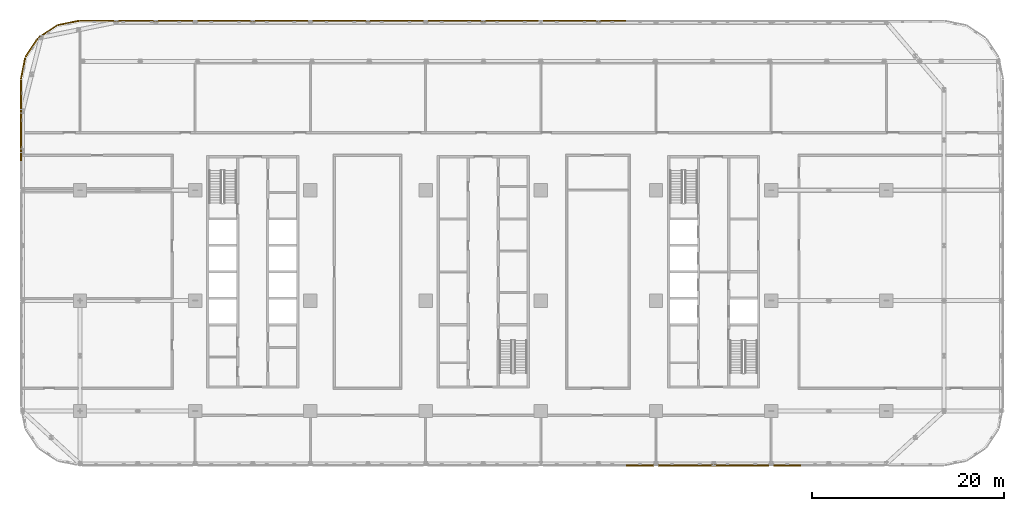
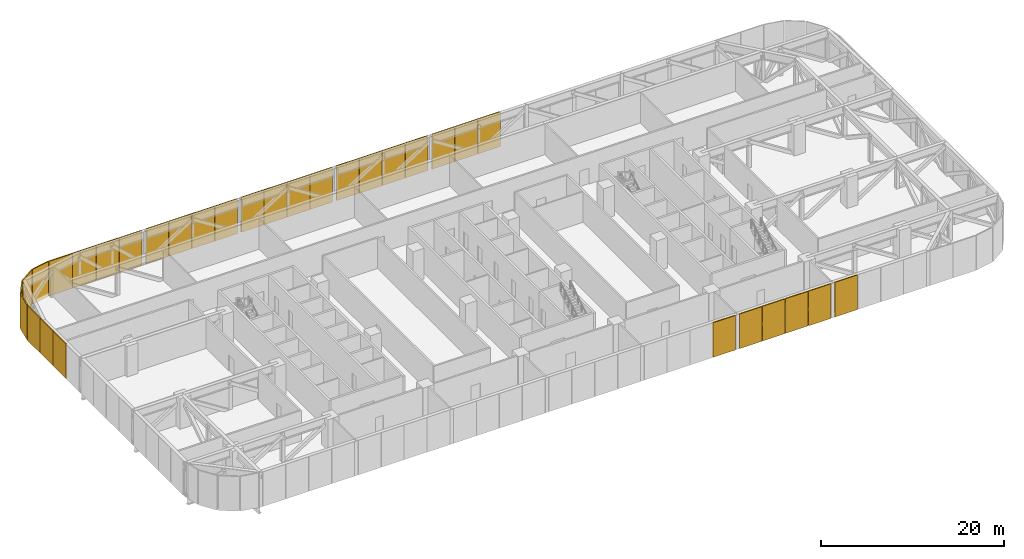
# One storey, part 24 of 26: 32 coverings.
"""IFC4 building model written with IfcOpenShell, lengths in metres."""

from ifc_helpers import new_model, si_unit, direction, frame, origin, origin_2d, place, context, subcontext, project, spatial, rectangle, extrude, material, type_object, element, save


model = new_model("IFC4")

# Units and contexts
model_context = context("Model", 3, precision=1e-05, world=origin(), true_north=direction((0.0, 1.0)))
body_context = subcontext(model_context, "Body", "Model", "MODEL_VIEW")
ifc_project = project(units=[si_unit("LENGTHUNIT", "METRE"), si_unit("AREAUNIT", "SQUARE_METRE"), si_unit("VOLUMEUNIT", "CUBIC_METRE"), si_unit("PLANEANGLEUNIT", "RADIAN"), si_unit("MASSUNIT", "GRAM", prefix="KILO")], contexts=[model_context])

# Site, building, storey
site_placement = place(None, origin())
site = spatial("IfcSite", under=ifc_project, at=site_placement, CompositionType="ELEMENT")
building_placement = place(site_placement, origin())
building = spatial("IfcBuilding", under=site, at=building_placement, Name="Mahtab Terrace Research Tower", CompositionType="ELEMENT")
storey_placement = place(building_placement, frame((0.0, 0.0, 117.60009765625)))
storey = spatial("IfcBuildingStorey", under=building, at=storey_placement, Name="L27", CompositionType="ELEMENT", Elevation=117.60009765625)

# Coverings
ifc_material = material(Name="Natural anodised aluminium", Category="aluminium")
covering_type = type_object("IfcCoveringType", Name="Plant storey louvre bay", PredefinedType="CLADDING", material=ifc_material)
for number, where, z_axis, x_axis, name in (
    (1, (13.443115234375, 29.159912109375, -0.55029296875), (0.0, 0.0, 1.0), (-1.0, 0.0, 0.0), "Louvre bay L27 33"),
    (2, (10.556884765625, 29.159912109375, -0.55029296875), (0.0, 0.0, 1.0), (-1.0, 0.0, 0.0), "Louvre bay L27 34"),
    (3, (7.6708984375, 29.159912109375, -0.55029296875), (0.0, 0.0, 1.0), (-1.0, 0.0, 0.0), "Louvre bay L27 35"),
    (4, (4.3291015625, 29.159912109375, -0.55029296875), (0.0, 0.0, 1.0), (-1.0, 0.0, 0.0), "Louvre bay L27 36"),
    (5, (1.443115234375, 29.159912109375, -0.55029296875), (0.0, 0.0, 1.0), (-1.0, 0.0, 0.0), "Louvre bay L27 37"),
    (6, (-1.443115234375, 29.159912109375, -0.55029296875), (0.0, 0.0, 1.0), (-1.0, 0.0, 0.0), "Louvre bay L27 38"),
    (7, (-4.3291015625, 29.159912109375, -0.55029296875), (0.0, 0.0, 1.0), (-1.0, 0.0, 0.0), "Louvre bay L27 39"),
    (8, (-7.6708984375, 29.159912109375, -0.55029296875), (0.0, 0.0, 1.0), (-1.0, 0.0, 0.0), "Louvre bay L27 40"),
    (9, (-10.556884765625, 29.159912109375, -0.55029296875), (0.0, 0.0, 1.0), (-1.0, 0.0, 0.0), "Louvre bay L27 41"),
    (10, (-13.443115234375, 29.159912109375, -0.55029296875), (0.0, 0.0, 1.0), (-1.0, 0.0, 0.0), "Louvre bay L27 42"),
    (11, (-16.3291015625, 29.159912109375, -0.55029296875), (0.0, 0.0, 1.0), (-1.0, 0.0, 0.0), "Louvre bay L27 43"),
    (12, (-19.6708984375, 29.159912109375, -0.55029296875), (0.0, 0.0, 1.0), (-1.0, 0.0, 0.0), "Louvre bay L27 44"),
    (13, (-22.556884765625, 29.159912109375, -0.55029296875), (0.0, 0.0, 1.0), (-1.0, 0.0, 0.0), "Louvre bay L27 45"),
    (14, (-25.443115234375, 29.159912109375, -0.55029296875), (0.0, 0.0, 1.0), (-1.0, 0.0, 0.0), "Louvre bay L27 46"),
    (15, (-28.3291015625, 29.159912109375, -0.55029296875), (0.0, 0.0, 1.0), (-1.0, 0.0, 0.0), "Louvre bay L27 47"),
    (16, (-31.6708984375, 29.159912109375, -0.55029296875), (0.0, 0.0, 1.0), (-1.0, 0.0, 0.0), "Louvre bay L27 48"),
    (17, (-34.556884765625, 29.159912109375, -0.55029296875), (0.0, 0.0, 1.0), (-1.0, 0.0, 0.0), "Louvre bay L27 49"),
):
    element("IfcCovering", number, at=place(storey_placement, frame(where, z_axis=z_axis, x_axis=x_axis)), inside=storey, type_object=covering_type, Name=name, PredefinedType="CLADDING", context=body_context, shape_type="SweptSolid", body=[
        extrude(rectangle(XDim=2.845947265625, YDim=0.139892578125, at=origin_2d()), origin(), (0.0, 0.0, 1.0), 4.610107421875),
    ])
for number, where, z_axis, x_axis, name in (
    (18, (-37.5, 29.159912109375, -0.55029296875), (0.0, 0.0, 1.0), (-1.0, 0.0, 0.0), "Louvre bay L27 50"),
    (19, (-40.5, 29.159912109375, -0.55029296875), (0.0, 0.0, 1.0), (-1.0, 0.0, 0.0), "Louvre bay L27 51"),
):
    element("IfcCovering", number, at=place(storey_placement, frame(where, z_axis=z_axis, x_axis=x_axis)), inside=storey, type_object=covering_type, Name=name, PredefinedType="CLADDING", context=body_context, shape_type="SweptSolid", body=[
        extrude(rectangle(XDim=2.9599609375, YDim=0.139892578125, at=origin_2d()), origin(), (0.0, 0.0, 1.0), 4.610107421875),
    ])
for number, where, z_axis, x_axis, name in (
    (20, (-43.17919921875, 28.928466796875, -0.55029296875), (0.0, 0.0, 1.0), (-0.980760981187, -0.195212442692, 0.0), "Louvre bay L27 52"),
    (21, (-45.3583984375, 28.026123046875, -0.55029296875), (0.0, 0.0, 1.0), (-0.831655794326, -0.555291490808, 0.0), "Louvre bay L27 53"),
    (22, (-47.026123046875, 26.3583984375, -0.55029296875), (0.0, 0.0, 1.0), (-0.555291490808, -0.831655794326, 0.0), "Louvre bay L27 54"),
    (23, (-47.928466796875, 24.17919921875, -0.55029296875), (0.0, 0.0, 1.0), (-0.195212442692, -0.980760981187, 0.0), "Louvre bay L27 55"),
):
    element("IfcCovering", number, at=place(storey_placement, frame(where, z_axis=z_axis, x_axis=x_axis)), inside=storey, type_object=covering_type, Name=name, PredefinedType="CLADDING", context=body_context, shape_type="SweptSolid", body=[
        extrude(rectangle(XDim=2.301025390625, YDim=0.139892578125, at=origin_2d()), origin(), (0.0, 0.0, 1.0), 4.610107421875),
    ])
for number, where, z_axis, x_axis, name in (
    (24, (-48.159912109375, 21.58984375, -0.55029296875), (0.0, 0.0, 1.0), (0.0, -1.0, 0.0), "Louvre bay L27 56"),
    (25, (-48.159912109375, 18.769287109375, -0.55029296875), (0.0, 0.0, 1.0), (0.0, -1.0, 0.0), "Louvre bay L27 57"),
    (26, (-48.159912109375, 15.94873046875, -0.55029296875), (0.0, 0.0, 1.0), (0.0, -1.0, 0.0), "Louvre bay L27 58"),
):
    element("IfcCovering", number, at=place(storey_placement, frame(where, z_axis=z_axis, x_axis=x_axis)), inside=storey, type_object=covering_type, Name=name, PredefinedType="CLADDING", context=body_context, shape_type="SweptSolid", body=[
        extrude(rectangle(XDim=2.780517578125, YDim=0.139892578125, at=origin_2d()), origin(), (0.0, 0.0, 1.0), 4.610107421875),
    ])
for number, where, z_axis, x_axis, name in (
    (27, (16.3291015625, -17.159912109375, -0.55029296875), (0.0, 0.0, 1.0), (1.0, 0.0, 0.0), "Louvre bay L27 91"),
    (28, (19.6708984375, -17.159912109375, -0.55029296875), (0.0, 0.0, 1.0), (1.0, 0.0, 0.0), "Louvre bay L27 92"),
    (29, (22.556884765625, -17.159912109375, -0.55029296875), (0.0, 0.0, 1.0), (1.0, 0.0, 0.0), "Louvre bay L27 93"),
    (30, (25.443115234375, -17.159912109375, -0.55029296875), (0.0, 0.0, 1.0), (1.0, 0.0, 0.0), "Louvre bay L27 94"),
    (31, (28.3291015625, -17.159912109375, -0.55029296875), (0.0, 0.0, 1.0), (1.0, 0.0, 0.0), "Louvre bay L27 95"),
    (32, (31.6708984375, -17.159912109375, -0.55029296875), (0.0, 0.0, 1.0), (1.0, 0.0, 0.0), "Louvre bay L27 96"),
):
    element("IfcCovering", number, at=place(storey_placement, frame(where, z_axis=z_axis, x_axis=x_axis)), inside=storey, type_object=covering_type, Name=name, PredefinedType="CLADDING", context=body_context, shape_type="SweptSolid", body=[
        extrude(rectangle(XDim=2.845947265625, YDim=0.139892578125, at=origin_2d()), origin(), (0.0, 0.0, 1.0), 4.610107421875),
    ])

save(model, "model.ifc")
